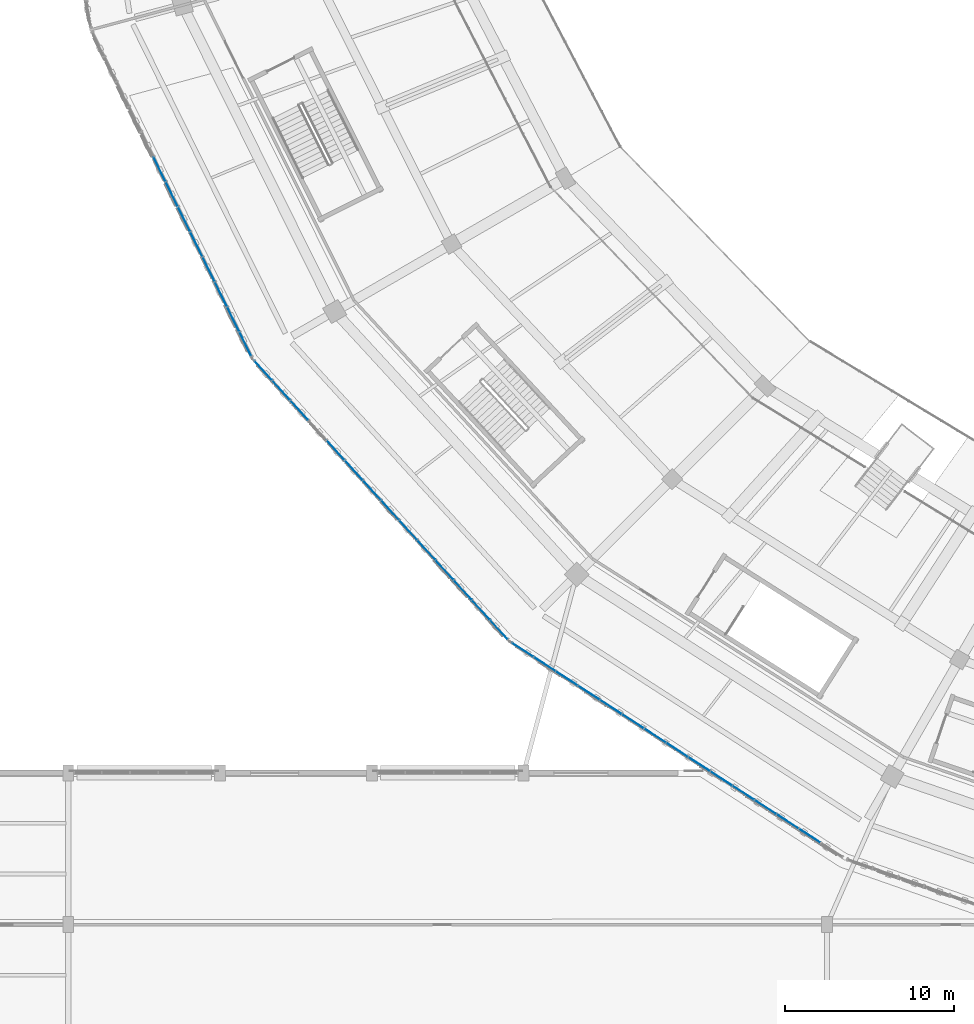
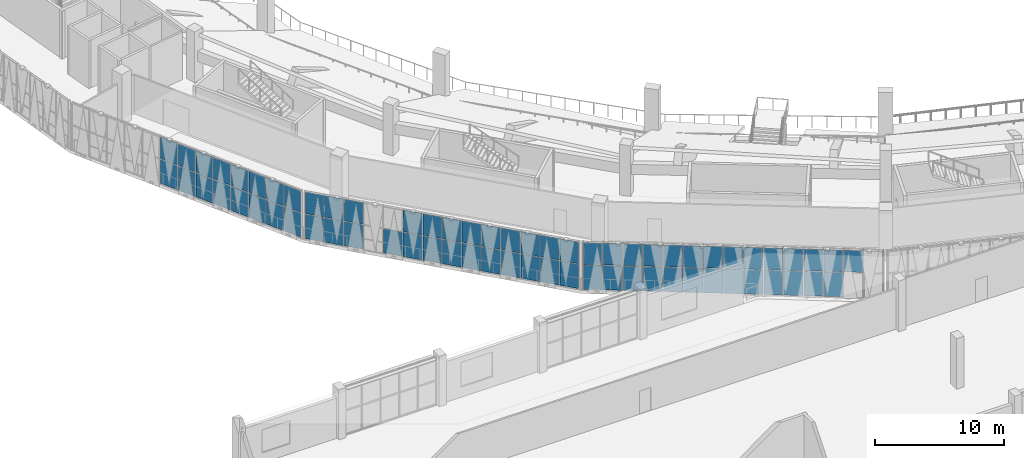
# One storey, part 71 of 152: 68 plates, 3 elements without a shape of their own.
"""IFC4 building model written with IfcOpenShell, lengths in metres."""

from ifc_helpers import new_model, si_unit, direction, frame, origin, origin_2d, place, context, subcontext, project, spatial, rectangle, extrude, material, layer, layer_set, type_object, element, aggregate, save


model = new_model("IFC4")

# Units and contexts
model_context = context("Model", 3, precision=1e-05, world=origin(), true_north=direction((0.0, 1.0)))
body_context = subcontext(model_context, "Body", "Model", "MODEL_VIEW")
ifc_project = project(units=[si_unit("LENGTHUNIT", "METRE"), si_unit("AREAUNIT", "SQUARE_METRE"), si_unit("VOLUMEUNIT", "CUBIC_METRE"), si_unit("PLANEANGLEUNIT", "RADIAN"), si_unit("MASSUNIT", "GRAM", prefix="KILO")], contexts=[model_context])

# Site, building, storey
site_placement = place(None, origin())
site = spatial("IfcSite", under=ifc_project, at=site_placement, CompositionType="ELEMENT")
building_placement = place(site_placement, origin())
building = spatial("IfcBuilding", under=site, at=building_placement, Name="Zevraka Park Crest Stadium", CompositionType="ELEMENT")
storey_placement = place(building_placement, frame((0.0, 0.0, 15.0)))
storey = spatial("IfcBuildingStorey", under=building, at=storey_placement, Name="L03", CompositionType="ELEMENT", Elevation=15.0)

# Curtain wall, plates
ifc_material_1 = material(Name="Anodised architectural aluminium and laminated safety glass", Category="aluminium")
curtain_wall_type_1 = type_object("IfcCurtainWallType", Name="CW12", PredefinedType="NOTDEFINED", material=ifc_material_1)
curtain_wall_1_placement = place(storey_placement, origin())
curtain_wall_1 = element("IfcCurtainWall", 1, at=curtain_wall_1_placement, inside=storey, type_object=curtain_wall_type_1, Name="Unitised Ring Curtain Wall CW12 L03-13", PredefinedType="NOTDEFINED")
ifc_material_2 = material(Name="Solar-control laminated double glazing", Category="glass")
ifc_layer_1 = layer(ifc_material_2, 0.028076171875)
ifc_layer_set_1 = layer_set([ifc_layer_1], Name="Solar-control laminated double glazing")
plate_type_1 = type_object("IfcPlateType", Name="CP12", PredefinedType="CURTAIN_PANEL", material=ifc_layer_set_1)
plate_1_placement = place(storey_placement, frame((23.41015625, 62.786865234375, 0.070068359375), z_axis=(0.0, 0.0, 1.0), x_axis=(0.440666370912, -0.897670958396, 0.0)))
plate_1 = element("IfcPlate", 2, at=plate_1_placement, type_object=plate_type_1, Name="CW12 panel 6.1", PredefinedType="CURTAIN_PANEL", context=body_context, shape_type="SweptSolid", body=[
    extrude(rectangle(XDim=1.58251953125, YDim=0.028076171875, at=origin_2d()), origin(), (0.0, 0.0, 1.0), 2.294921875),
])
plate_2_placement = place(storey_placement, frame((23.41015625, 62.786865234375, 2.43505859375), z_axis=(0.0, 0.0, 1.0), x_axis=(0.440666370912, -0.897670958396, 0.0)))
plate_2 = element("IfcPlate", 3, at=plate_2_placement, type_object=plate_type_1, Name="CW12 panel 6.2", PredefinedType="CURTAIN_PANEL", context=body_context, shape_type="SweptSolid", body=[
    extrude(rectangle(XDim=1.58251953125, YDim=0.028076171875, at=origin_2d()), origin(), (0.0, 0.0, 1.0), 2.034912109375),
])
plate_3_placement = place(storey_placement, frame((24.138427734375, 61.303466796875, 0.070068359375), z_axis=(0.0, 0.0, 1.0), x_axis=(0.440666370912, -0.897670958396, 0.0)))
plate_3 = element("IfcPlate", 4, at=plate_3_placement, type_object=plate_type_1, Name="CW12 panel 7.1", PredefinedType="CURTAIN_PANEL", context=body_context, shape_type="SweptSolid", body=[
    extrude(rectangle(XDim=1.58251953125, YDim=0.028076171875, at=origin_2d()), origin(), (0.0, 0.0, 1.0), 2.294921875),
])
plate_4_placement = place(storey_placement, frame((24.138427734375, 61.303466796875, 2.43505859375), z_axis=(0.0, 0.0, 1.0), x_axis=(0.440666370912, -0.897670958396, 0.0)))
plate_4 = element("IfcPlate", 5, at=plate_4_placement, type_object=plate_type_1, Name="CW12 panel 7.2", PredefinedType="CURTAIN_PANEL", context=body_context, shape_type="SweptSolid", body=[
    extrude(rectangle(XDim=1.58251953125, YDim=0.028076171875, at=origin_2d()), origin(), (0.0, 0.0, 1.0), 2.034912109375),
])
plate_5_placement = place(storey_placement, frame((24.86669921875, 59.820068359375, 0.070068359375), z_axis=(0.0, 0.0, 1.0), x_axis=(0.440666370912, -0.897670958396, 0.0)))
plate_5 = element("IfcPlate", 6, at=plate_5_placement, type_object=plate_type_1, Name="CW12 panel 8.1", PredefinedType="CURTAIN_PANEL", context=body_context, shape_type="SweptSolid", body=[
    extrude(rectangle(XDim=1.58251953125, YDim=0.028076171875, at=origin_2d()), origin(), (0.0, 0.0, 1.0), 2.294921875),
])
plate_6_placement = place(storey_placement, frame((24.86669921875, 59.820068359375, 2.43505859375), z_axis=(0.0, 0.0, 1.0), x_axis=(0.440666370912, -0.897670958396, 0.0)))
plate_6 = element("IfcPlate", 7, at=plate_6_placement, type_object=plate_type_1, Name="CW12 panel 8.2", PredefinedType="CURTAIN_PANEL", context=body_context, shape_type="SweptSolid", body=[
    extrude(rectangle(XDim=1.58251953125, YDim=0.028076171875, at=origin_2d()), origin(), (0.0, 0.0, 1.0), 2.034912109375),
])
plate_7_placement = place(storey_placement, frame((25.594970703125, 58.336669921875, 0.070068359375), z_axis=(0.0, 0.0, 1.0), x_axis=(0.440666370912, -0.897670958396, 0.0)))
plate_7 = element("IfcPlate", 8, at=plate_7_placement, type_object=plate_type_1, Name="CW12 panel 9.1", PredefinedType="CURTAIN_PANEL", context=body_context, shape_type="SweptSolid", body=[
    extrude(rectangle(XDim=1.58251953125, YDim=0.028076171875, at=origin_2d()), origin(), (0.0, 0.0, 1.0), 2.294921875),
])
plate_8_placement = place(storey_placement, frame((25.594970703125, 58.336669921875, 2.43505859375), z_axis=(0.0, 0.0, 1.0), x_axis=(0.440666370912, -0.897670958396, 0.0)))
plate_8 = element("IfcPlate", 9, at=plate_8_placement, type_object=plate_type_1, Name="CW12 panel 9.2", PredefinedType="CURTAIN_PANEL", context=body_context, shape_type="SweptSolid", body=[
    extrude(rectangle(XDim=1.58251953125, YDim=0.028076171875, at=origin_2d()), origin(), (0.0, 0.0, 1.0), 2.034912109375),
])
plate_9_placement = place(storey_placement, frame((26.3232421875, 56.85302734375, 0.070068359375), z_axis=(0.0, 0.0, 1.0), x_axis=(0.440666370912, -0.897670958396, 0.0)))
plate_9 = element("IfcPlate", 10, at=plate_9_placement, type_object=plate_type_1, Name="CW12 panel 10.1", PredefinedType="CURTAIN_PANEL", context=body_context, shape_type="SweptSolid", body=[
    extrude(rectangle(XDim=1.58251953125, YDim=0.028076171875, at=origin_2d()), origin(), (0.0, 0.0, 1.0), 2.294921875),
])
plate_10_placement = place(storey_placement, frame((26.3232421875, 56.85302734375, 2.43505859375), z_axis=(0.0, 0.0, 1.0), x_axis=(0.440666370912, -0.897670958396, 0.0)))
plate_10 = element("IfcPlate", 11, at=plate_10_placement, type_object=plate_type_1, Name="CW12 panel 10.2", PredefinedType="CURTAIN_PANEL", context=body_context, shape_type="SweptSolid", body=[
    extrude(rectangle(XDim=1.58251953125, YDim=0.028076171875, at=origin_2d()), origin(), (0.0, 0.0, 1.0), 2.034912109375),
])
plate_11_placement = place(storey_placement, frame((27.051513671875, 55.36962890625, 0.070068359375), z_axis=(0.0, 0.0, 1.0), x_axis=(0.440666370912, -0.897670958396, 0.0)))
plate_11 = element("IfcPlate", 12, at=plate_11_placement, type_object=plate_type_1, Name="CW12 panel 11.1", PredefinedType="CURTAIN_PANEL", context=body_context, shape_type="SweptSolid", body=[
    extrude(rectangle(XDim=1.58251953125, YDim=0.028076171875, at=origin_2d()), origin(), (0.0, 0.0, 1.0), 2.294921875),
])
plate_12_placement = place(storey_placement, frame((27.051513671875, 55.36962890625, 2.43505859375), z_axis=(0.0, 0.0, 1.0), x_axis=(0.440666370912, -0.897670958396, 0.0)))
plate_12 = element("IfcPlate", 13, at=plate_12_placement, type_object=plate_type_1, Name="CW12 panel 11.2", PredefinedType="CURTAIN_PANEL", context=body_context, shape_type="SweptSolid", body=[
    extrude(rectangle(XDim=1.58251953125, YDim=0.028076171875, at=origin_2d()), origin(), (0.0, 0.0, 1.0), 2.034912109375),
])
plate_13_placement = place(storey_placement, frame((27.779541015625, 53.88623046875, 0.070068359375), z_axis=(0.0, 0.0, 1.0), x_axis=(0.440666370912, -0.897670958396, 0.0)))
plate_13 = element("IfcPlate", 14, at=plate_13_placement, type_object=plate_type_1, Name="CW12 panel 12.1", PredefinedType="CURTAIN_PANEL", context=body_context, shape_type="SweptSolid", body=[
    extrude(rectangle(XDim=1.58251953125, YDim=0.028076171875, at=origin_2d()), origin(), (0.0, 0.0, 1.0), 2.294921875),
])
plate_14_placement = place(storey_placement, frame((27.779541015625, 53.88623046875, 2.43505859375), z_axis=(0.0, 0.0, 1.0), x_axis=(0.440666370912, -0.897670958396, 0.0)))
plate_14 = element("IfcPlate", 15, at=plate_14_placement, type_object=plate_type_1, Name="CW12 panel 12.2", PredefinedType="CURTAIN_PANEL", context=body_context, shape_type="SweptSolid", body=[
    extrude(rectangle(XDim=1.58251953125, YDim=0.028076171875, at=origin_2d()), origin(), (0.0, 0.0, 1.0), 2.034912109375),
])
plate_15_placement = place(storey_placement, frame((28.500244140625, 52.41845703125, 0.070068359375), z_axis=(0.0, 0.0, 1.0), x_axis=(0.440666370912, -0.897670958396, 0.0)))
plate_15 = element("IfcPlate", 16, at=plate_15_placement, type_object=plate_type_1, Name="CW12 panel 13.1", PredefinedType="CURTAIN_PANEL", context=body_context, shape_type="SweptSolid", body=[
    extrude(rectangle(XDim=1.547607421875, YDim=0.028076171875, at=origin_2d()), origin(), (0.0, 0.0, 1.0), 2.294921875),
])
plate_16_placement = place(storey_placement, frame((28.500244140625, 52.41845703125, 2.43505859375), z_axis=(0.0, 0.0, 1.0), x_axis=(0.440666370912, -0.897670958396, 0.0)))
plate_16 = element("IfcPlate", 17, at=plate_16_placement, type_object=plate_type_1, Name="CW12 panel 13.2", PredefinedType="CURTAIN_PANEL", context=body_context, shape_type="SweptSolid", body=[
    extrude(rectangle(XDim=1.547607421875, YDim=0.028076171875, at=origin_2d()), origin(), (0.0, 0.0, 1.0), 2.034912109375),
])
aggregate(curtain_wall_1, [plate_1, plate_2, plate_3, plate_4, plate_5, plate_6, plate_7, plate_8, plate_9, plate_10, plate_11, plate_12, plate_13, plate_14, plate_15, plate_16])

ifc_material_3 = material(Name="Anodised architectural aluminium and laminated safety glass", Category="aluminium")
curtain_wall_type_2 = type_object("IfcCurtainWallType", Name="CW13", PredefinedType="NOTDEFINED", material=ifc_material_3)
curtain_wall_2_placement = place(storey_placement, origin())
curtain_wall_2 = element("IfcCurtainWall", 18, at=curtain_wall_2_placement, inside=storey, type_object=curtain_wall_type_2, Name="Unitised Ring Curtain Wall CW13 L03-14", PredefinedType="NOTDEFINED")
ifc_material_4 = material(Name="Solar-control laminated double glazing", Category="glass")
ifc_layer_2 = layer(ifc_material_4, 0.031982421875)
ifc_layer_set_2 = layer_set([ifc_layer_2], Name="Solar-control laminated double glazing")
plate_type_2 = type_object("IfcPlateType", Name="CP13", PredefinedType="CURTAIN_PANEL", material=ifc_layer_set_2)
plate_17_placement = place(storey_placement, frame((29.563232421875, 50.84716796875, 0.06005859375), z_axis=(0.0, 0.0, 1.0), x_axis=(0.672801685845, -0.739822878481, 0.0)))
plate_17 = element("IfcPlate", 19, at=plate_17_placement, type_object=plate_type_2, Name="CW13 panel 1.1", PredefinedType="CURTAIN_PANEL", context=body_context, shape_type="SweptSolid", body=[
    extrude(rectangle(XDim=1.509765625, YDim=0.031982421875, at=origin_2d()), origin(), (0.0, 0.0, 1.0), 2.31005859375),
])
plate_18_placement = place(storey_placement, frame((29.563232421875, 50.84716796875, 2.43017578125), z_axis=(0.0, 0.0, 1.0), x_axis=(0.672801685845, -0.739822878481, 0.0)))
plate_18 = element("IfcPlate", 20, at=plate_18_placement, type_object=plate_type_2, Name="CW13 panel 1.2", PredefinedType="CURTAIN_PANEL", context=body_context, shape_type="SweptSolid", body=[
    extrude(rectangle(XDim=1.509765625, YDim=0.031982421875, at=origin_2d()), origin(), (0.0, 0.0, 1.0), 2.050048828125),
])
plate_19_placement = place(storey_placement, frame((30.62939453125, 49.6748046875, 0.06005859375), z_axis=(0.0, 0.0, 1.0), x_axis=(0.672801685845, -0.739822878481, 0.0)))
plate_19 = element("IfcPlate", 21, at=plate_19_placement, type_object=plate_type_2, Name="CW13 panel 2.1", PredefinedType="CURTAIN_PANEL", context=body_context, shape_type="SweptSolid", body=[
    extrude(rectangle(XDim=1.539794921875, YDim=0.031982421875, at=origin_2d()), origin(), (0.0, 0.0, 1.0), 2.31005859375),
])
plate_20_placement = place(storey_placement, frame((30.62939453125, 49.6748046875, 2.43017578125), z_axis=(0.0, 0.0, 1.0), x_axis=(0.672801685845, -0.739822878481, 0.0)))
plate_20 = element("IfcPlate", 22, at=plate_20_placement, type_object=plate_type_2, Name="CW13 panel 2.2", PredefinedType="CURTAIN_PANEL", context=body_context, shape_type="SweptSolid", body=[
    extrude(rectangle(XDim=1.539794921875, YDim=0.031982421875, at=origin_2d()), origin(), (0.0, 0.0, 1.0), 2.050048828125),
])
plate_21_placement = place(storey_placement, frame((31.705810546875, 48.4912109375, 0.06005859375), z_axis=(0.0, 0.0, 1.0), x_axis=(0.672801685845, -0.739822878481, 0.0)))
plate_21 = element("IfcPlate", 23, at=plate_21_placement, type_object=plate_type_2, Name="CW13 panel 3.1", PredefinedType="CURTAIN_PANEL", context=body_context, shape_type="SweptSolid", body=[
    extrude(rectangle(XDim=1.539794921875, YDim=0.031982421875, at=origin_2d()), origin(), (0.0, 0.0, 1.0), 2.31005859375),
])
plate_22_placement = place(storey_placement, frame((31.705810546875, 48.4912109375, 2.43017578125), z_axis=(0.0, 0.0, 1.0), x_axis=(0.672801685845, -0.739822878481, 0.0)))
plate_22 = element("IfcPlate", 24, at=plate_22_placement, type_object=plate_type_2, Name="CW13 panel 3.2", PredefinedType="CURTAIN_PANEL", context=body_context, shape_type="SweptSolid", body=[
    extrude(rectangle(XDim=1.539794921875, YDim=0.031982421875, at=origin_2d()), origin(), (0.0, 0.0, 1.0), 2.050048828125),
])
plate_23_placement = place(storey_placement, frame((33.8583984375, 46.124267578125, 0.06005859375), z_axis=(0.0, 0.0, 1.0), x_axis=(0.672801685845, -0.739822878481, 0.0)))
plate_23 = element("IfcPlate", 25, at=plate_23_placement, type_object=plate_type_2, Name="CW13 panel 5.1", PredefinedType="CURTAIN_PANEL", context=body_context, shape_type="SweptSolid", body=[
    extrude(rectangle(XDim=1.539794921875, YDim=0.031982421875, at=origin_2d()), origin(), (0.0, 0.0, 1.0), 2.31005859375),
])
plate_24_placement = place(storey_placement, frame((34.9345703125, 44.940673828125, 0.06005859375), z_axis=(0.0, 0.0, 1.0), x_axis=(0.672801685845, -0.739822878481, 0.0)))
plate_24 = element("IfcPlate", 26, at=plate_24_placement, type_object=plate_type_2, Name="CW13 panel 6.1", PredefinedType="CURTAIN_PANEL", context=body_context, shape_type="SweptSolid", body=[
    extrude(rectangle(XDim=1.539794921875, YDim=0.031982421875, at=origin_2d()), origin(), (0.0, 0.0, 1.0), 2.31005859375),
])
plate_25_placement = place(storey_placement, frame((34.9345703125, 44.940673828125, 2.43017578125), z_axis=(0.0, 0.0, 1.0), x_axis=(0.672801685845, -0.739822878481, 0.0)))
plate_25 = element("IfcPlate", 27, at=plate_25_placement, type_object=plate_type_2, Name="CW13 panel 6.2", PredefinedType="CURTAIN_PANEL", context=body_context, shape_type="SweptSolid", body=[
    extrude(rectangle(XDim=1.539794921875, YDim=0.031982421875, at=origin_2d()), origin(), (0.0, 0.0, 1.0), 2.050048828125),
])
plate_26_placement = place(storey_placement, frame((36.0107421875, 43.75732421875, 0.06005859375), z_axis=(0.0, 0.0, 1.0), x_axis=(0.672801685845, -0.739822878481, 0.0)))
plate_26 = element("IfcPlate", 28, at=plate_26_placement, type_object=plate_type_2, Name="CW13 panel 7.1", PredefinedType="CURTAIN_PANEL", context=body_context, shape_type="SweptSolid", body=[
    extrude(rectangle(XDim=1.539794921875, YDim=0.031982421875, at=origin_2d()), origin(), (0.0, 0.0, 1.0), 2.31005859375),
])
plate_27_placement = place(storey_placement, frame((36.0107421875, 43.75732421875, 2.43017578125), z_axis=(0.0, 0.0, 1.0), x_axis=(0.672801685845, -0.739822878481, 0.0)))
plate_27 = element("IfcPlate", 29, at=plate_27_placement, type_object=plate_type_2, Name="CW13 panel 7.2", PredefinedType="CURTAIN_PANEL", context=body_context, shape_type="SweptSolid", body=[
    extrude(rectangle(XDim=1.539794921875, YDim=0.031982421875, at=origin_2d()), origin(), (0.0, 0.0, 1.0), 2.050048828125),
])
plate_28_placement = place(storey_placement, frame((37.087158203125, 42.57373046875, 0.06005859375), z_axis=(0.0, 0.0, 1.0), x_axis=(0.672801685845, -0.739822878481, 0.0)))
plate_28 = element("IfcPlate", 30, at=plate_28_placement, type_object=plate_type_2, Name="CW13 panel 8.1", PredefinedType="CURTAIN_PANEL", context=body_context, shape_type="SweptSolid", body=[
    extrude(rectangle(XDim=1.539794921875, YDim=0.031982421875, at=origin_2d()), origin(), (0.0, 0.0, 1.0), 2.31005859375),
])
plate_29_placement = place(storey_placement, frame((37.087158203125, 42.57373046875, 2.43017578125), z_axis=(0.0, 0.0, 1.0), x_axis=(0.672801685845, -0.739822878481, 0.0)))
plate_29 = element("IfcPlate", 31, at=plate_29_placement, type_object=plate_type_2, Name="CW13 panel 8.2", PredefinedType="CURTAIN_PANEL", context=body_context, shape_type="SweptSolid", body=[
    extrude(rectangle(XDim=1.539794921875, YDim=0.031982421875, at=origin_2d()), origin(), (0.0, 0.0, 1.0), 2.050048828125),
])
plate_30_placement = place(storey_placement, frame((38.163330078125, 41.39013671875, 0.06005859375), z_axis=(0.0, 0.0, 1.0), x_axis=(0.672801685845, -0.739822878481, 0.0)))
plate_30 = element("IfcPlate", 32, at=plate_30_placement, type_object=plate_type_2, Name="CW13 panel 9.1", PredefinedType="CURTAIN_PANEL", context=body_context, shape_type="SweptSolid", body=[
    extrude(rectangle(XDim=1.539794921875, YDim=0.031982421875, at=origin_2d()), origin(), (0.0, 0.0, 1.0), 2.31005859375),
])
plate_31_placement = place(storey_placement, frame((38.163330078125, 41.39013671875, 2.43017578125), z_axis=(0.0, 0.0, 1.0), x_axis=(0.672801685845, -0.739822878481, 0.0)))
plate_31 = element("IfcPlate", 33, at=plate_31_placement, type_object=plate_type_2, Name="CW13 panel 9.2", PredefinedType="CURTAIN_PANEL", context=body_context, shape_type="SweptSolid", body=[
    extrude(rectangle(XDim=1.539794921875, YDim=0.031982421875, at=origin_2d()), origin(), (0.0, 0.0, 1.0), 2.050048828125),
])
plate_32_placement = place(storey_placement, frame((39.23974609375, 40.206787109375, 0.06005859375), z_axis=(0.0, 0.0, 1.0), x_axis=(0.672801685845, -0.739822878481, 0.0)))
plate_32 = element("IfcPlate", 34, at=plate_32_placement, type_object=plate_type_2, Name="CW13 panel 10.1", PredefinedType="CURTAIN_PANEL", context=body_context, shape_type="SweptSolid", body=[
    extrude(rectangle(XDim=1.539794921875, YDim=0.031982421875, at=origin_2d()), origin(), (0.0, 0.0, 1.0), 2.31005859375),
])
plate_33_placement = place(storey_placement, frame((39.23974609375, 40.206787109375, 2.43017578125), z_axis=(0.0, 0.0, 1.0), x_axis=(0.672801685845, -0.739822878481, 0.0)))
plate_33 = element("IfcPlate", 35, at=plate_33_placement, type_object=plate_type_2, Name="CW13 panel 10.2", PredefinedType="CURTAIN_PANEL", context=body_context, shape_type="SweptSolid", body=[
    extrude(rectangle(XDim=1.539794921875, YDim=0.031982421875, at=origin_2d()), origin(), (0.0, 0.0, 1.0), 2.050048828125),
])
plate_34_placement = place(storey_placement, frame((40.31591796875, 39.023193359375, 0.06005859375), z_axis=(0.0, 0.0, 1.0), x_axis=(0.672801685845, -0.739822878481, 0.0)))
plate_34 = element("IfcPlate", 36, at=plate_34_placement, type_object=plate_type_2, Name="CW13 panel 11.1", PredefinedType="CURTAIN_PANEL", context=body_context, shape_type="SweptSolid", body=[
    extrude(rectangle(XDim=1.539794921875, YDim=0.031982421875, at=origin_2d()), origin(), (0.0, 0.0, 1.0), 2.31005859375),
])
plate_35_placement = place(storey_placement, frame((40.31591796875, 39.023193359375, 2.43017578125), z_axis=(0.0, 0.0, 1.0), x_axis=(0.672801685845, -0.739822878481, 0.0)))
plate_35 = element("IfcPlate", 37, at=plate_35_placement, type_object=plate_type_2, Name="CW13 panel 11.2", PredefinedType="CURTAIN_PANEL", context=body_context, shape_type="SweptSolid", body=[
    extrude(rectangle(XDim=1.539794921875, YDim=0.031982421875, at=origin_2d()), origin(), (0.0, 0.0, 1.0), 2.050048828125),
])
plate_36_placement = place(storey_placement, frame((41.392333984375, 37.83984375, 0.06005859375), z_axis=(0.0, 0.0, 1.0), x_axis=(0.672801685845, -0.739822878481, 0.0)))
plate_36 = element("IfcPlate", 38, at=plate_36_placement, type_object=plate_type_2, Name="CW13 panel 12.1", PredefinedType="CURTAIN_PANEL", context=body_context, shape_type="SweptSolid", body=[
    extrude(rectangle(XDim=1.539794921875, YDim=0.031982421875, at=origin_2d()), origin(), (0.0, 0.0, 1.0), 2.31005859375),
])
plate_37_placement = place(storey_placement, frame((41.392333984375, 37.83984375, 2.43017578125), z_axis=(0.0, 0.0, 1.0), x_axis=(0.672801685845, -0.739822878481, 0.0)))
plate_37 = element("IfcPlate", 39, at=plate_37_placement, type_object=plate_type_2, Name="CW13 panel 12.2", PredefinedType="CURTAIN_PANEL", context=body_context, shape_type="SweptSolid", body=[
    extrude(rectangle(XDim=1.539794921875, YDim=0.031982421875, at=origin_2d()), origin(), (0.0, 0.0, 1.0), 2.050048828125),
])
plate_38_placement = place(storey_placement, frame((42.468505859375, 36.65625, 0.06005859375), z_axis=(0.0, 0.0, 1.0), x_axis=(0.672801685845, -0.739822878481, 0.0)))
plate_38 = element("IfcPlate", 40, at=plate_38_placement, type_object=plate_type_2, Name="CW13 panel 13.1", PredefinedType="CURTAIN_PANEL", context=body_context, shape_type="SweptSolid", body=[
    extrude(rectangle(XDim=1.539794921875, YDim=0.031982421875, at=origin_2d()), origin(), (0.0, 0.0, 1.0), 2.31005859375),
])
plate_39_placement = place(storey_placement, frame((42.468505859375, 36.65625, 2.43017578125), z_axis=(0.0, 0.0, 1.0), x_axis=(0.672801685845, -0.739822878481, 0.0)))
plate_39 = element("IfcPlate", 41, at=plate_39_placement, type_object=plate_type_2, Name="CW13 panel 13.2", PredefinedType="CURTAIN_PANEL", context=body_context, shape_type="SweptSolid", body=[
    extrude(rectangle(XDim=1.539794921875, YDim=0.031982421875, at=origin_2d()), origin(), (0.0, 0.0, 1.0), 2.050048828125),
])
plate_40_placement = place(storey_placement, frame((43.53466796875, 35.48388671875, 0.06005859375), z_axis=(0.0, 0.0, 1.0), x_axis=(0.672801685845, -0.739822878481, 0.0)))
plate_40 = element("IfcPlate", 42, at=plate_40_placement, type_object=plate_type_2, Name="CW13 panel 14.1", PredefinedType="CURTAIN_PANEL", context=body_context, shape_type="SweptSolid", body=[
    extrude(rectangle(XDim=1.509765625, YDim=0.031982421875, at=origin_2d()), origin(), (0.0, 0.0, 1.0), 2.31005859375),
])
plate_41_placement = place(storey_placement, frame((43.53466796875, 35.48388671875, 2.43017578125), z_axis=(0.0, 0.0, 1.0), x_axis=(0.672801685845, -0.739822878481, 0.0)))
plate_41 = element("IfcPlate", 43, at=plate_41_placement, type_object=plate_type_2, Name="CW13 panel 14.2", PredefinedType="CURTAIN_PANEL", context=body_context, shape_type="SweptSolid", body=[
    extrude(rectangle(XDim=1.509765625, YDim=0.031982421875, at=origin_2d()), origin(), (0.0, 0.0, 1.0), 2.050048828125),
])
aggregate(curtain_wall_2, [plate_17, plate_18, plate_19, plate_20, plate_21, plate_22, plate_23, plate_24, plate_25, plate_26, plate_27, plate_28, plate_29, plate_30, plate_31, plate_32, plate_33, plate_34, plate_35, plate_36, plate_37, plate_38, plate_39, plate_40, plate_41])

curtain_wall_3_placement = place(storey_placement, origin())
curtain_wall_3 = element("IfcCurtainWall", 44, at=curtain_wall_3_placement, inside=storey, type_object=curtain_wall_type_2, Name="Unitised Ring Curtain Wall CW13 L03-15", PredefinedType="NOTDEFINED")
plate_42_placement = place(storey_placement, frame((44.946533203125, 34.282958984375, 0.06005859375), z_axis=(0.0, 0.0, 1.0), x_axis=(0.839429134517, -0.543469160232, 0.0)))
plate_42 = element("IfcPlate", 45, at=plate_42_placement, type_object=plate_type_2, Name="CW13 panel 1.1", PredefinedType="CURTAIN_PANEL", context=body_context, shape_type="SweptSolid", body=[
    extrude(rectangle(XDim=1.470458984375, YDim=0.031982421875, at=origin_2d()), origin(), (0.0, 0.0, 1.0), 2.31005859375),
])
plate_43_placement = place(storey_placement, frame((44.946533203125, 34.282958984375, 2.43017578125), z_axis=(0.0, 0.0, 1.0), x_axis=(0.839429134517, -0.543469160232, 0.0)))
plate_43 = element("IfcPlate", 46, at=plate_43_placement, type_object=plate_type_2, Name="CW13 panel 1.2", PredefinedType="CURTAIN_PANEL", context=body_context, shape_type="SweptSolid", body=[
    extrude(rectangle(XDim=1.470458984375, YDim=0.031982421875, at=origin_2d()), origin(), (0.0, 0.0, 1.0), 2.050048828125),
])
plate_44_placement = place(storey_placement, frame((46.24365234375, 33.443115234375, 0.06005859375), z_axis=(0.0, 0.0, 1.0), x_axis=(0.839429134517, -0.543469160232, 0.0)))
plate_44 = element("IfcPlate", 47, at=plate_44_placement, type_object=plate_type_2, Name="CW13 panel 2.1", PredefinedType="CURTAIN_PANEL", context=body_context, shape_type="SweptSolid", body=[
    extrude(rectangle(XDim=1.500244140625, YDim=0.031982421875, at=origin_2d()), origin(), (0.0, 0.0, 1.0), 2.31005859375),
])
plate_45_placement = place(storey_placement, frame((46.24365234375, 33.443115234375, 2.43017578125), z_axis=(0.0, 0.0, 1.0), x_axis=(0.839429134517, -0.543469160232, 0.0)))
plate_45 = element("IfcPlate", 48, at=plate_45_placement, type_object=plate_type_2, Name="CW13 panel 2.2", PredefinedType="CURTAIN_PANEL", context=body_context, shape_type="SweptSolid", body=[
    extrude(rectangle(XDim=1.500244140625, YDim=0.031982421875, at=origin_2d()), origin(), (0.0, 0.0, 1.0), 2.050048828125),
])
plate_46_placement = place(storey_placement, frame((47.553466796875, 32.594970703125, 0.06005859375), z_axis=(0.0, 0.0, 1.0), x_axis=(0.839429134517, -0.543469160232, 0.0)))
plate_46 = element("IfcPlate", 49, at=plate_46_placement, type_object=plate_type_2, Name="CW13 panel 3.1", PredefinedType="CURTAIN_PANEL", context=body_context, shape_type="SweptSolid", body=[
    extrude(rectangle(XDim=1.500244140625, YDim=0.031982421875, at=origin_2d()), origin(), (0.0, 0.0, 1.0), 2.31005859375),
])
plate_47_placement = place(storey_placement, frame((47.553466796875, 32.594970703125, 2.43017578125), z_axis=(0.0, 0.0, 1.0), x_axis=(0.839429134517, -0.543469160232, 0.0)))
plate_47 = element("IfcPlate", 50, at=plate_47_placement, type_object=plate_type_2, Name="CW13 panel 3.2", PredefinedType="CURTAIN_PANEL", context=body_context, shape_type="SweptSolid", body=[
    extrude(rectangle(XDim=1.500244140625, YDim=0.031982421875, at=origin_2d()), origin(), (0.0, 0.0, 1.0), 2.050048828125),
])
plate_48_placement = place(storey_placement, frame((48.86328125, 31.7470703125, 0.06005859375), z_axis=(0.0, 0.0, 1.0), x_axis=(0.839429134517, -0.543469160232, 0.0)))
plate_48 = element("IfcPlate", 51, at=plate_48_placement, type_object=plate_type_2, Name="CW13 panel 4.1", PredefinedType="CURTAIN_PANEL", context=body_context, shape_type="SweptSolid", body=[
    extrude(rectangle(XDim=1.500244140625, YDim=0.031982421875, at=origin_2d()), origin(), (0.0, 0.0, 1.0), 2.31005859375),
])
plate_49_placement = place(storey_placement, frame((48.86328125, 31.7470703125, 2.43017578125), z_axis=(0.0, 0.0, 1.0), x_axis=(0.839429134517, -0.543469160232, 0.0)))
plate_49 = element("IfcPlate", 52, at=plate_49_placement, type_object=plate_type_2, Name="CW13 panel 4.2", PredefinedType="CURTAIN_PANEL", context=body_context, shape_type="SweptSolid", body=[
    extrude(rectangle(XDim=1.500244140625, YDim=0.031982421875, at=origin_2d()), origin(), (0.0, 0.0, 1.0), 2.050048828125),
])
plate_50_placement = place(storey_placement, frame((50.173095703125, 30.89892578125, 0.06005859375), z_axis=(0.0, 0.0, 1.0), x_axis=(0.839429134517, -0.543469160232, 0.0)))
plate_50 = element("IfcPlate", 53, at=plate_50_placement, type_object=plate_type_2, Name="CW13 panel 5.1", PredefinedType="CURTAIN_PANEL", context=body_context, shape_type="SweptSolid", body=[
    extrude(rectangle(XDim=1.500244140625, YDim=0.031982421875, at=origin_2d()), origin(), (0.0, 0.0, 1.0), 2.31005859375),
])
plate_51_placement = place(storey_placement, frame((50.173095703125, 30.89892578125, 2.43017578125), z_axis=(0.0, 0.0, 1.0), x_axis=(0.839429134517, -0.543469160232, 0.0)))
plate_51 = element("IfcPlate", 54, at=plate_51_placement, type_object=plate_type_2, Name="CW13 panel 5.2", PredefinedType="CURTAIN_PANEL", context=body_context, shape_type="SweptSolid", body=[
    extrude(rectangle(XDim=1.500244140625, YDim=0.031982421875, at=origin_2d()), origin(), (0.0, 0.0, 1.0), 2.050048828125),
])
plate_52_placement = place(storey_placement, frame((51.48291015625, 30.051025390625, 0.06005859375), z_axis=(0.0, 0.0, 1.0), x_axis=(0.839429134517, -0.543469160232, 0.0)))
plate_52 = element("IfcPlate", 55, at=plate_52_placement, type_object=plate_type_2, Name="CW13 panel 6.1", PredefinedType="CURTAIN_PANEL", context=body_context, shape_type="SweptSolid", body=[
    extrude(rectangle(XDim=1.500244140625, YDim=0.031982421875, at=origin_2d()), origin(), (0.0, 0.0, 1.0), 2.31005859375),
])
plate_53_placement = place(storey_placement, frame((51.48291015625, 30.051025390625, 2.43017578125), z_axis=(0.0, 0.0, 1.0), x_axis=(0.839429134517, -0.543469160232, 0.0)))
plate_53 = element("IfcPlate", 56, at=plate_53_placement, type_object=plate_type_2, Name="CW13 panel 6.2", PredefinedType="CURTAIN_PANEL", context=body_context, shape_type="SweptSolid", body=[
    extrude(rectangle(XDim=1.500244140625, YDim=0.031982421875, at=origin_2d()), origin(), (0.0, 0.0, 1.0), 2.050048828125),
])
plate_54_placement = place(storey_placement, frame((52.792724609375, 29.202880859375, 0.06005859375), z_axis=(0.0, 0.0, 1.0), x_axis=(0.839429134517, -0.543469160232, 0.0)))
plate_54 = element("IfcPlate", 57, at=plate_54_placement, type_object=plate_type_2, Name="CW13 panel 7.1", PredefinedType="CURTAIN_PANEL", context=body_context, shape_type="SweptSolid", body=[
    extrude(rectangle(XDim=1.500244140625, YDim=0.031982421875, at=origin_2d()), origin(), (0.0, 0.0, 1.0), 2.31005859375),
])
plate_55_placement = place(storey_placement, frame((52.792724609375, 29.202880859375, 2.43017578125), z_axis=(0.0, 0.0, 1.0), x_axis=(0.839429134517, -0.543469160232, 0.0)))
plate_55 = element("IfcPlate", 58, at=plate_55_placement, type_object=plate_type_2, Name="CW13 panel 7.2", PredefinedType="CURTAIN_PANEL", context=body_context, shape_type="SweptSolid", body=[
    extrude(rectangle(XDim=1.500244140625, YDim=0.031982421875, at=origin_2d()), origin(), (0.0, 0.0, 1.0), 2.050048828125),
])
plate_56_placement = place(storey_placement, frame((54.1025390625, 28.35498046875, 0.06005859375), z_axis=(0.0, 0.0, 1.0), x_axis=(0.839429134517, -0.543469160232, 0.0)))
plate_56 = element("IfcPlate", 59, at=plate_56_placement, type_object=plate_type_2, Name="CW13 panel 8.1", PredefinedType="CURTAIN_PANEL", context=body_context, shape_type="SweptSolid", body=[
    extrude(rectangle(XDim=1.500244140625, YDim=0.031982421875, at=origin_2d()), origin(), (0.0, 0.0, 1.0), 2.31005859375),
])
plate_57_placement = place(storey_placement, frame((54.1025390625, 28.35498046875, 2.43017578125), z_axis=(0.0, 0.0, 1.0), x_axis=(0.839429134517, -0.543469160232, 0.0)))
plate_57 = element("IfcPlate", 60, at=plate_57_placement, type_object=plate_type_2, Name="CW13 panel 8.2", PredefinedType="CURTAIN_PANEL", context=body_context, shape_type="SweptSolid", body=[
    extrude(rectangle(XDim=1.500244140625, YDim=0.031982421875, at=origin_2d()), origin(), (0.0, 0.0, 1.0), 2.050048828125),
])
plate_58_placement = place(storey_placement, frame((55.412353515625, 27.507080078125, 0.06005859375), z_axis=(0.0, 0.0, 1.0), x_axis=(0.839429134517, -0.543469160232, 0.0)))
plate_58 = element("IfcPlate", 61, at=plate_58_placement, type_object=plate_type_2, Name="CW13 panel 9.1", PredefinedType="CURTAIN_PANEL", context=body_context, shape_type="SweptSolid", body=[
    extrude(rectangle(XDim=1.500244140625, YDim=0.031982421875, at=origin_2d()), origin(), (0.0, 0.0, 1.0), 2.31005859375),
])
plate_59_placement = place(storey_placement, frame((55.412353515625, 27.507080078125, 2.43017578125), z_axis=(0.0, 0.0, 1.0), x_axis=(0.839429134517, -0.543469160232, 0.0)))
plate_59 = element("IfcPlate", 62, at=plate_59_placement, type_object=plate_type_2, Name="CW13 panel 9.2", PredefinedType="CURTAIN_PANEL", context=body_context, shape_type="SweptSolid", body=[
    extrude(rectangle(XDim=1.500244140625, YDim=0.031982421875, at=origin_2d()), origin(), (0.0, 0.0, 1.0), 2.050048828125),
])
plate_60_placement = place(storey_placement, frame((56.72216796875, 26.658935546875, 0.06005859375), z_axis=(0.0, 0.0, 1.0), x_axis=(0.839429134517, -0.543469160232, 0.0)))
plate_60 = element("IfcPlate", 63, at=plate_60_placement, type_object=plate_type_2, Name="CW13 panel 10.1", PredefinedType="CURTAIN_PANEL", context=body_context, shape_type="SweptSolid", body=[
    extrude(rectangle(XDim=1.500244140625, YDim=0.031982421875, at=origin_2d()), origin(), (0.0, 0.0, 1.0), 2.31005859375),
])
plate_61_placement = place(storey_placement, frame((56.72216796875, 26.658935546875, 2.43017578125), z_axis=(0.0, 0.0, 1.0), x_axis=(0.839429134517, -0.543469160232, 0.0)))
plate_61 = element("IfcPlate", 64, at=plate_61_placement, type_object=plate_type_2, Name="CW13 panel 10.2", PredefinedType="CURTAIN_PANEL", context=body_context, shape_type="SweptSolid", body=[
    extrude(rectangle(XDim=1.500244140625, YDim=0.031982421875, at=origin_2d()), origin(), (0.0, 0.0, 1.0), 2.050048828125),
])
plate_62_placement = place(storey_placement, frame((58.031982421875, 25.81103515625, 0.06005859375), z_axis=(0.0, 0.0, 1.0), x_axis=(0.839429134517, -0.543469160232, 0.0)))
plate_62 = element("IfcPlate", 65, at=plate_62_placement, type_object=plate_type_2, Name="CW13 panel 11.1", PredefinedType="CURTAIN_PANEL", context=body_context, shape_type="SweptSolid", body=[
    extrude(rectangle(XDim=1.500244140625, YDim=0.031982421875, at=origin_2d()), origin(), (0.0, 0.0, 1.0), 2.31005859375),
])
plate_63_placement = place(storey_placement, frame((58.031982421875, 25.81103515625, 2.43017578125), z_axis=(0.0, 0.0, 1.0), x_axis=(0.839429134517, -0.543469160232, 0.0)))
plate_63 = element("IfcPlate", 66, at=plate_63_placement, type_object=plate_type_2, Name="CW13 panel 11.2", PredefinedType="CURTAIN_PANEL", context=body_context, shape_type="SweptSolid", body=[
    extrude(rectangle(XDim=1.500244140625, YDim=0.031982421875, at=origin_2d()), origin(), (0.0, 0.0, 1.0), 2.050048828125),
])
plate_64_placement = place(storey_placement, frame((59.341796875, 24.962890625, 0.06005859375), z_axis=(0.0, 0.0, 1.0), x_axis=(0.839429134517, -0.543469160232, 0.0)))
plate_64 = element("IfcPlate", 67, at=plate_64_placement, type_object=plate_type_2, Name="CW13 panel 12.1", PredefinedType="CURTAIN_PANEL", context=body_context, shape_type="SweptSolid", body=[
    extrude(rectangle(XDim=1.500244140625, YDim=0.031982421875, at=origin_2d()), origin(), (0.0, 0.0, 1.0), 2.31005859375),
])
plate_65_placement = place(storey_placement, frame((59.341796875, 24.962890625, 2.43017578125), z_axis=(0.0, 0.0, 1.0), x_axis=(0.839429134517, -0.543469160232, 0.0)))
plate_65 = element("IfcPlate", 68, at=plate_65_placement, type_object=plate_type_2, Name="CW13 panel 12.2", PredefinedType="CURTAIN_PANEL", context=body_context, shape_type="SweptSolid", body=[
    extrude(rectangle(XDim=1.500244140625, YDim=0.031982421875, at=origin_2d()), origin(), (0.0, 0.0, 1.0), 2.050048828125),
])
plate_66_placement = place(storey_placement, frame((60.651611328125, 24.114990234375, 0.06005859375), z_axis=(0.0, 0.0, 1.0), x_axis=(0.839429134517, -0.543469160232, 0.0)))
plate_66 = element("IfcPlate", 69, at=plate_66_placement, type_object=plate_type_2, Name="CW13 panel 13.1", PredefinedType="CURTAIN_PANEL", context=body_context, shape_type="SweptSolid", body=[
    extrude(rectangle(XDim=1.500244140625, YDim=0.031982421875, at=origin_2d()), origin(), (0.0, 0.0, 1.0), 2.31005859375),
])
plate_67_placement = place(storey_placement, frame((60.651611328125, 24.114990234375, 2.43017578125), z_axis=(0.0, 0.0, 1.0), x_axis=(0.839429134517, -0.543469160232, 0.0)))
plate_67 = element("IfcPlate", 70, at=plate_67_placement, type_object=plate_type_2, Name="CW13 panel 13.2", PredefinedType="CURTAIN_PANEL", context=body_context, shape_type="SweptSolid", body=[
    extrude(rectangle(XDim=1.500244140625, YDim=0.031982421875, at=origin_2d()), origin(), (0.0, 0.0, 1.0), 2.050048828125),
])
plate_68_placement = place(storey_placement, frame((61.961181640625, 23.26708984375, 2.43017578125), z_axis=(0.0, 0.0, 1.0), x_axis=(0.839429134517, -0.543469160232, 0.0)))
plate_68 = element("IfcPlate", 71, at=plate_68_placement, type_object=plate_type_2, Name="CW13 panel 14.2", PredefinedType="CURTAIN_PANEL", context=body_context, shape_type="SweptSolid", body=[
    extrude(rectangle(XDim=1.500244140625, YDim=0.031982421875, at=origin_2d()), origin(), (0.0, 0.0, 1.0), 2.050048828125),
])
aggregate(curtain_wall_3, [plate_42, plate_43, plate_44, plate_45, plate_46, plate_47, plate_48, plate_49, plate_50, plate_51, plate_52, plate_53, plate_54, plate_55, plate_56, plate_57, plate_58, plate_59, plate_60, plate_61, plate_62, plate_63, plate_64, plate_65, plate_66, plate_67, plate_68])

save(model, "model.ifc")
